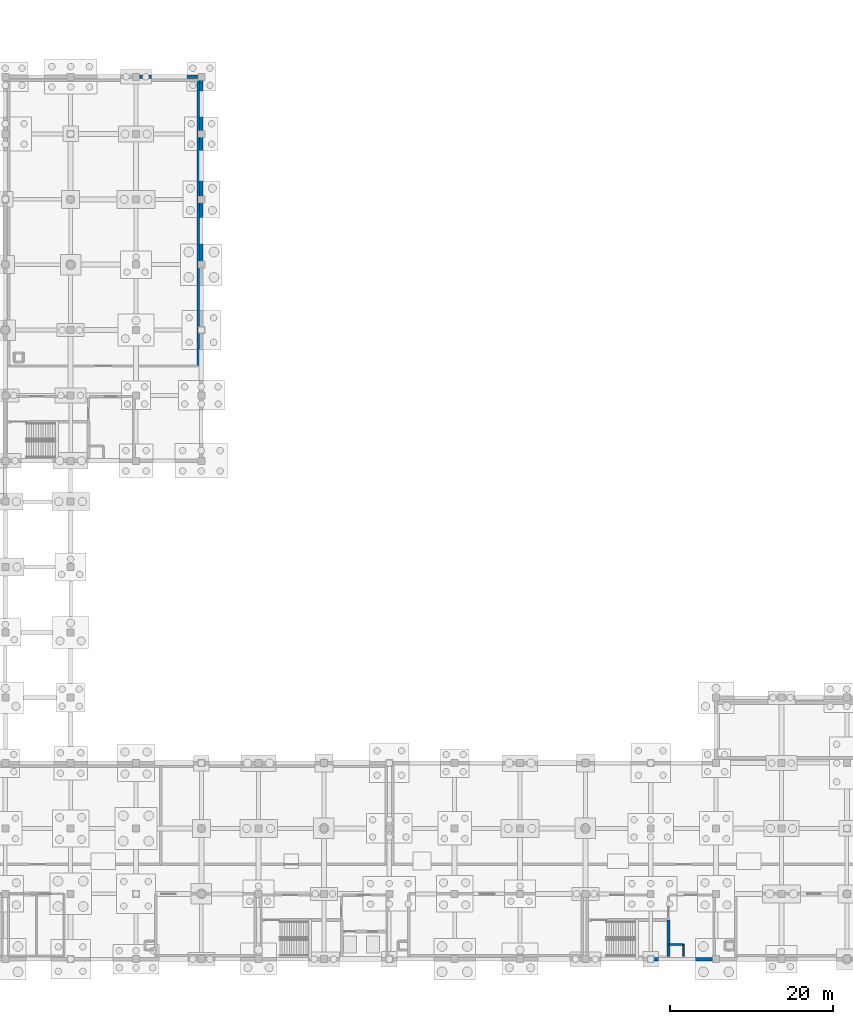
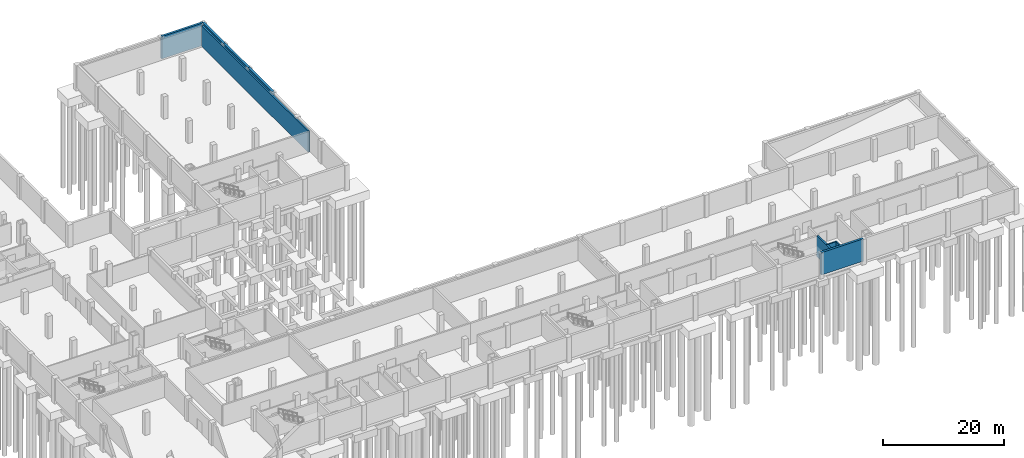
# One storey, part 17 of 26: 9 walls.
"""IFC4 building model written with IfcOpenShell, lengths in metres."""

from ifc_helpers import new_model, si_unit, direction, frame, frame_2d, origin, place, context, subcontext, project, spatial, rectangle, extrude, material, layer, layer_set, type_object, element, save


model = new_model("IFC4")

# Units and contexts
model_context = context("Model", 3, precision=1e-05, world=origin(), true_north=direction((0.0, 1.0)))
body_context = subcontext(model_context, "Body", "Model", "MODEL_VIEW")
ifc_project = project(units=[si_unit("LENGTHUNIT", "METRE"), si_unit("AREAUNIT", "SQUARE_METRE"), si_unit("VOLUMEUNIT", "CUBIC_METRE"), si_unit("PLANEANGLEUNIT", "RADIAN"), si_unit("MASSUNIT", "GRAM", prefix="KILO")], contexts=[model_context])

# Site, building, storey
site_placement = place(None, origin())
site = spatial("IfcSite", under=ifc_project, at=site_placement, CompositionType="ELEMENT")
building_placement = place(site_placement, origin())
building = spatial("IfcBuilding", under=site, at=building_placement, Name="Qorikala Patio Media Centre", CompositionType="ELEMENT")
storey_placement = place(building_placement, frame((0.0, 0.0, -4.5)))
storey = spatial("IfcBuildingStorey", under=building, at=storey_placement, Name="B1", CompositionType="ELEMENT", Elevation=-4.5)

# Walls
ifc_material_1 = material(Name="Concrete C35/45", Category="concrete")
ifc_layer_1 = layer(ifc_material_1, 0.300048828125)
ifc_layer_set_1 = layer_set([ifc_layer_1], Name="Concrete C35/45")
wall_type_1 = type_object("IfcWallType", Name="WL-AC-300", PredefinedType="SHEAR", material=ifc_layer_set_1)
wall_1_placement = place(storey_placement, frame((74.60009765625, 75.60009765625, 0.0), z_axis=(0.0, 0.0, 1.0), x_axis=(0.0, 1.0, 0.0)))
element("IfcWall", 1, at=wall_1_placement, inside=storey, type_object=wall_type_1, Name="B1 Interior Wall WINT-B1-PLT2-E", PredefinedType="SHEAR", context=body_context, shape_type="SweptSolid", body=[
    extrude(rectangle(XDim=35.0, YDim=0.300048828125, at=frame_2d((17.5, 0.0))), origin(), (0.0, 0.0, 1.0), 4.199951171875),
])
ifc_layer_2 = layer(ifc_material_1, 0.35009765625)
ifc_layer_set_2 = layer_set([ifc_layer_2], Name="Concrete C35/45")
wall_type_2 = type_object("IfcWallType", Name="WL-CORE-350", PredefinedType="SHEAR", material=ifc_layer_set_2)
wall_2_placement = place(storey_placement, frame((132.175048828125, 3.35009765625, 0.0), z_axis=(0.0, 0.0, 1.0), x_axis=(0.0, 1.0, 0.0)))
element("IfcWall", 2, at=wall_2_placement, inside=storey, type_object=wall_type_2, Name="B1 Interior Wall CW-B1-C7-SE", PredefinedType="SHEAR", context=body_context, shape_type="SweptSolid", body=[
    extrude(rectangle(XDim=4.4248046875, YDim=0.35009765625, at=frame_2d((2.21240234375, 0.0))), origin(), (0.0, 0.0, 1.0), 4.199951171875),
])
ifc_material_2 = material(Name="Concrete C30/37", Category="concrete")
ifc_layer_3 = layer(ifc_material_2, 0.419921875)
ifc_layer_set_3 = layer_set([ifc_layer_3], Name="Concrete C30/37")
wall_type_3 = type_object("IfcWallType", Name="WL-RET-420", PredefinedType="USERDEFINED", material=ifc_layer_set_3)
for number, where, z_axis, x_axis, name in (
    (3, (138.0, 3.0, 0.0), (0.0, 0.0, 1.0), (-1.0, 0.0, 0.0), "B1 Perimeter Retaining Wall WL-B1-RET-019"),
    (4, (67.0, 111.0, 0.0), (0.0, 0.0, 1.0), (1.0, 0.0, 0.0), "B1 Perimeter Retaining Wall WL-B1-RET-090"),
):
    element("IfcWall", number, at=place(storey_placement, frame(where, z_axis=z_axis, x_axis=x_axis)), inside=storey, type_object=wall_type_3, Name=name, ObjectType="RETAINING WALL", PredefinedType="USERDEFINED", context=body_context, shape_type="SweptSolid", body=[
        extrude(rectangle(XDim=8.0, YDim=0.419921875, at=frame_2d((4.0, 0.0))), origin(), (0.0, 0.0, 1.0), 4.5),
    ])
wall_3_placement = place(storey_placement, frame((75.0, 111.0, 0.0), z_axis=(0.0, 0.0, 1.0), x_axis=(0.0, -1.0, 0.0)))
element("IfcWall", 5, at=wall_3_placement, inside=storey, type_object=wall_type_3, Name="B1 Perimeter Retaining Wall WL-B1-RET-091", ObjectType="RETAINING WALL", PredefinedType="USERDEFINED", context=body_context, shape_type="SweptSolid", body=[
    extrude(rectangle(XDim=7.0, YDim=0.419921875, at=frame_2d((3.5, 0.0))), origin(), (0.0, 0.0, 1.0), 4.5),
])
for number, where, z_axis, x_axis, name in (
    (6, (75.0, 104.0, 0.0), (0.0, 0.0, 1.0), (0.0, -1.0, 0.0), "B1 Perimeter Retaining Wall WL-B1-RET-092"),
    (7, (75.0, 96.0, 0.0), (0.0, 0.0, 1.0), (0.0, -1.0, 0.0), "B1 Perimeter Retaining Wall WL-B1-RET-093"),
):
    element("IfcWall", number, at=place(storey_placement, frame(where, z_axis=z_axis, x_axis=x_axis)), inside=storey, type_object=wall_type_3, Name=name, ObjectType="RETAINING WALL", PredefinedType="USERDEFINED", context=body_context, shape_type="SweptSolid", body=[
        extrude(rectangle(XDim=8.0, YDim=0.419921875, at=frame_2d((4.0, 0.0))), origin(), (0.0, 0.0, 1.0), 4.5),
    ])
ifc_material_3 = material(Name="Acoustic Masonry and Plaster Concrete C30/37", Category="masonry")
ifc_layer_4 = layer(ifc_material_3, 0.199951171875)
ifc_layer_set_4 = layer_set([ifc_layer_4], Name="Acoustic Masonry and Plaster Concrete C30/37")
wall_type_4 = type_object("IfcWallType", Name="WL-ST-200", PredefinedType="PARTITIONING", material=ifc_layer_set_4)
wall_4_placement = place(storey_placement, frame((132.199951171875, 4.800048828125, 0.0), z_axis=(0.0, 0.0, 1.0), x_axis=(1.0, 0.0, 0.0)))
element("IfcWall", 8, at=wall_4_placement, inside=storey, type_object=wall_type_4, Name="B1 Interior Wall CW-B1-C7-RSN", PredefinedType="PARTITIONING", context=body_context, shape_type="SweptSolid", body=[
    extrude(rectangle(XDim=1.800048828125, YDim=0.199951171875, at=frame_2d((0.89990234375, 0.0))), origin(), (0.0, 0.0, 1.0), 4.199951171875),
])
wall_5_placement = place(storey_placement, frame((134.0, 3.35009765625, 0.0), z_axis=(0.0, 0.0, 1.0), x_axis=(0.0, 1.0, 0.0)))
element("IfcWall", 9, at=wall_5_placement, inside=storey, type_object=wall_type_4, Name="B1 Interior Wall CW-B1-C7-RSE", PredefinedType="PARTITIONING", context=body_context, shape_type="SweptSolid", body=[
    extrude(rectangle(XDim=1.449951171875, YDim=0.199951171875, at=frame_2d((0.72509765625, 0.0))), origin(), (0.0, 0.0, 1.0), 4.199951171875),
])

save(model, "model.ifc")
